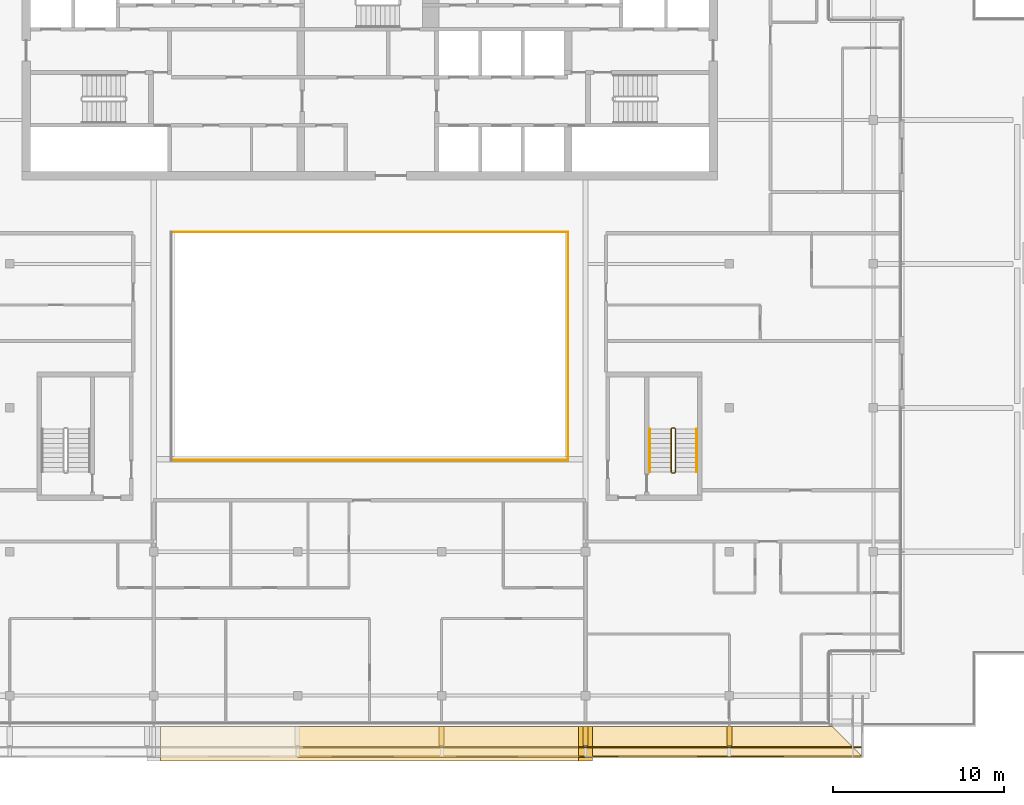
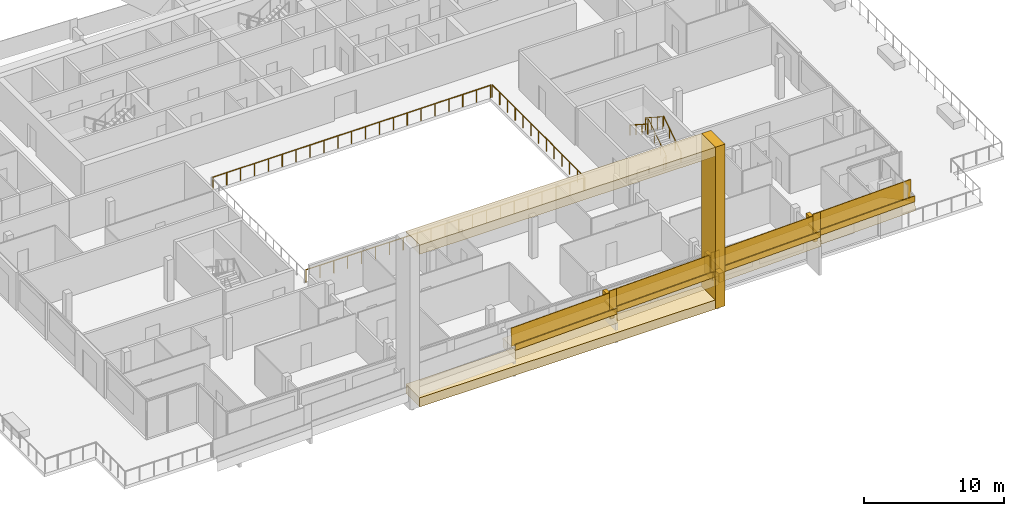
# One storey, part 25 of 29: 15 coverings, 14 railings.
"""IFC4 building model written with IfcOpenShell, lengths in metres."""

from ifc_helpers import new_model, si_unit, direction, frame, origin, origin_2d, place, context, subcontext, project, spatial, polyline, rectangle, circle, outline, extrude, material, layer, layer_set, type_object, element, save


model = new_model("IFC4")

# Units and contexts
model_context = context("Model", 3, precision=1e-05, world=origin(), true_north=direction((0.0, 1.0)))
body_context = subcontext(model_context, "Body", "Model", "MODEL_VIEW")
ifc_project = project(units=[si_unit("LENGTHUNIT", "METRE"), si_unit("AREAUNIT", "SQUARE_METRE"), si_unit("VOLUMEUNIT", "CUBIC_METRE"), si_unit("PLANEANGLEUNIT", "RADIAN"), si_unit("MASSUNIT", "GRAM", prefix="KILO")], contexts=[model_context])

# Site, building, storey
site_placement = place(None, origin())
site = spatial("IfcSite", under=ifc_project, at=site_placement, CompositionType="ELEMENT")
building_placement = place(site_placement, origin())
building = spatial("IfcBuilding", under=site, at=building_placement, Name="Saffron Gate Tower", CompositionType="ELEMENT")
storey_placement = place(building_placement, frame((0.0, 0.0, 270.75)))
storey = spatial("IfcBuildingStorey", under=building, at=storey_placement, Name="L65", CompositionType="ELEMENT", Elevation=270.75)

# Railings
ifc_material_1 = material(Name="Stainless steel and laminated glass", Category="steel")
railing_type_1 = type_object("IfcRailingType", Name="AG1 Atrium edge guard 1100", PredefinedType="GUARDRAIL", material=ifc_material_1)
railing_1_placement = place(storey_placement, frame((76.139892578125, 58.860107421875, 0.0)))
element("IfcRailing", 1, at=railing_1_placement, inside=storey, type_object=railing_type_1, Name="Guard E2-2", PredefinedType="GUARDRAIL", context=body_context, shape_type="SweptSolid", body=[
    extrude(circle(Radius=0.02392578125, at=origin_2d()), frame((0.0, 0.0, 1.076171875), z_axis=(1.0, 0.0, 0.0), x_axis=(0.0, 1.0, 0.0)), (0.0, 0.0, 1.0), 22.920166015625),
    extrude(circle(Radius=0.02099609375, at=origin_2d()), origin(), (0.0, 0.0, 1.0), 1.052001953125),
    extrude(circle(Radius=0.02099609375, at=origin_2d()), frame((1.14599609375, 0.0, 0.0)), (0.0, 0.0, 1.0), 1.052001953125),
    extrude(circle(Radius=0.02099609375, at=origin_2d()), frame((2.2919921875, 0.0, 0.0)), (0.0, 0.0, 1.0), 1.052001953125),
    extrude(circle(Radius=0.02099609375, at=origin_2d()), frame((3.43798828125, 0.0, 0.0)), (0.0, 0.0, 1.0), 1.052001953125),
    extrude(circle(Radius=0.02099609375, at=origin_2d()), frame((4.583984375, 0.0, 0.0)), (0.0, 0.0, 1.0), 1.052001953125),
    extrude(circle(Radius=0.02099609375, at=origin_2d()), frame((5.72998046875, 0.0, 0.0)), (0.0, 0.0, 1.0), 1.052001953125),
    extrude(circle(Radius=0.02099609375, at=origin_2d()), frame((6.8759765625, 0.0, 0.0)), (0.0, 0.0, 1.0), 1.052001953125),
    extrude(circle(Radius=0.02099609375, at=origin_2d()), frame((8.02197265625, 0.0, 0.0)), (0.0, 0.0, 1.0), 1.052001953125),
    extrude(circle(Radius=0.02099609375, at=origin_2d()), frame((9.16796875, 0.0, 0.0)), (0.0, 0.0, 1.0), 1.052001953125),
    extrude(circle(Radius=0.02099609375, at=origin_2d()), frame((10.31396484375, 0.0, 0.0)), (0.0, 0.0, 1.0), 1.052001953125),
    extrude(circle(Radius=0.02099609375, at=origin_2d()), frame((11.4599609375, 0.0, 0.0)), (0.0, 0.0, 1.0), 1.052001953125),
    extrude(circle(Radius=0.02099609375, at=origin_2d()), frame((12.606201171875, 0.0, 0.0)), (0.0, 0.0, 1.0), 1.052001953125),
    extrude(circle(Radius=0.02099609375, at=origin_2d()), frame((13.752197265625, 0.0, 0.0)), (0.0, 0.0, 1.0), 1.052001953125),
    extrude(circle(Radius=0.02099609375, at=origin_2d()), frame((14.898193359375, 0.0, 0.0)), (0.0, 0.0, 1.0), 1.052001953125),
    extrude(circle(Radius=0.02099609375, at=origin_2d()), frame((16.044189453125, 0.0, 0.0)), (0.0, 0.0, 1.0), 1.052001953125),
    extrude(circle(Radius=0.02099609375, at=origin_2d()), frame((17.190185546875, 0.0, 0.0)), (0.0, 0.0, 1.0), 1.052001953125),
    extrude(circle(Radius=0.02099609375, at=origin_2d()), frame((18.336181640625, 0.0, 0.0)), (0.0, 0.0, 1.0), 1.052001953125),
    extrude(circle(Radius=0.02099609375, at=origin_2d()), frame((19.482177734375, 0.0, 0.0)), (0.0, 0.0, 1.0), 1.052001953125),
    extrude(circle(Radius=0.02099609375, at=origin_2d()), frame((20.628173828125, 0.0, 0.0)), (0.0, 0.0, 1.0), 1.052001953125),
    extrude(circle(Radius=0.02099609375, at=origin_2d()), frame((21.774169921875, 0.0, 0.0)), (0.0, 0.0, 1.0), 1.052001953125),
    extrude(circle(Radius=0.02099609375, at=origin_2d()), frame((22.920166015625, 0.0, 0.0)), (0.0, 0.0, 1.0), 1.052001953125),
])
railing_2_placement = place(storey_placement, frame((99.179931640625, 58.860107421875, 0.0)))
element("IfcRailing", 2, at=railing_2_placement, inside=storey, type_object=railing_type_1, Name="Guard E2-3", PredefinedType="GUARDRAIL", context=body_context, shape_type="SweptSolid", body=[
    extrude(circle(Radius=0.02392578125, at=origin_2d()), frame((0.0, 0.0, 1.076171875), z_axis=(0.0, -1.0, 0.0), x_axis=(1.0, 0.0, 0.0)), (0.0, 0.0, 1.0), 13.320068359375),
    extrude(circle(Radius=0.02099609375, at=origin_2d()), origin(), (0.0, 0.0, 1.0), 1.052001953125),
    extrude(circle(Radius=0.02099609375, at=origin_2d()), frame((0.0, -1.110107421875, 0.0)), (0.0, 0.0, 1.0), 1.052001953125),
    extrude(circle(Radius=0.02099609375, at=origin_2d()), frame((0.0, -2.219970703125, 0.0)), (0.0, 0.0, 1.0), 1.052001953125),
    extrude(circle(Radius=0.02099609375, at=origin_2d()), frame((0.0, -3.330078125, 0.0)), (0.0, 0.0, 1.0), 1.052001953125),
    extrude(circle(Radius=0.02099609375, at=origin_2d()), frame((0.0, -4.43994140625, 0.0)), (0.0, 0.0, 1.0), 1.052001953125),
    extrude(circle(Radius=0.02099609375, at=origin_2d()), frame((0.0, -5.550048828125, 0.0)), (0.0, 0.0, 1.0), 1.052001953125),
    extrude(circle(Radius=0.02099609375, at=origin_2d()), frame((0.0, -6.66015625, 0.0)), (0.0, 0.0, 1.0), 1.052001953125),
    extrude(circle(Radius=0.02099609375, at=origin_2d()), frame((0.0, -7.77001953125, 0.0)), (0.0, 0.0, 1.0), 1.052001953125),
    extrude(circle(Radius=0.02099609375, at=origin_2d()), frame((0.0, -8.880126953125, 0.0)), (0.0, 0.0, 1.0), 1.052001953125),
    extrude(circle(Radius=0.02099609375, at=origin_2d()), frame((0.0, -9.989990234375, 0.0)), (0.0, 0.0, 1.0), 1.052001953125),
    extrude(circle(Radius=0.02099609375, at=origin_2d()), frame((0.0, -11.10009765625, 0.0)), (0.0, 0.0, 1.0), 1.052001953125),
    extrude(circle(Radius=0.02099609375, at=origin_2d()), frame((0.0, -12.2099609375, 0.0)), (0.0, 0.0, 1.0), 1.052001953125),
    extrude(circle(Radius=0.02099609375, at=origin_2d()), frame((0.0, -13.320068359375, 0.0)), (0.0, 0.0, 1.0), 1.052001953125),
])
railing_3_placement = place(storey_placement, frame((99.06005859375, 45.5400390625, 0.0)))
element("IfcRailing", 3, at=railing_3_placement, inside=storey, type_object=railing_type_1, Name="Guard E2-4", PredefinedType="GUARDRAIL", context=body_context, shape_type="SweptSolid", body=[
    extrude(circle(Radius=0.02392578125, at=origin_2d()), frame((0.0, 0.0, 1.076171875), z_axis=(-1.0, 0.0, 0.0), x_axis=(0.0, -1.0, 0.0)), (0.0, 0.0, 1.0), 22.920166015625),
    extrude(circle(Radius=0.02099609375, at=origin_2d()), origin(), (0.0, 0.0, 1.0), 1.052001953125),
    extrude(circle(Radius=0.02099609375, at=origin_2d()), frame((-1.14599609375, 0.0, 0.0)), (0.0, 0.0, 1.0), 1.052001953125),
    extrude(circle(Radius=0.02099609375, at=origin_2d()), frame((-2.2919921875, 0.0, 0.0)), (0.0, 0.0, 1.0), 1.052001953125),
    extrude(circle(Radius=0.02099609375, at=origin_2d()), frame((-3.43798828125, 0.0, 0.0)), (0.0, 0.0, 1.0), 1.052001953125),
    extrude(circle(Radius=0.02099609375, at=origin_2d()), frame((-4.583984375, 0.0, 0.0)), (0.0, 0.0, 1.0), 1.052001953125),
    extrude(circle(Radius=0.02099609375, at=origin_2d()), frame((-5.72998046875, 0.0, 0.0)), (0.0, 0.0, 1.0), 1.052001953125),
    extrude(circle(Radius=0.02099609375, at=origin_2d()), frame((-6.8759765625, 0.0, 0.0)), (0.0, 0.0, 1.0), 1.052001953125),
    extrude(circle(Radius=0.02099609375, at=origin_2d()), frame((-8.02197265625, 0.0, 0.0)), (0.0, 0.0, 1.0), 1.052001953125),
    extrude(circle(Radius=0.02099609375, at=origin_2d()), frame((-9.16796875, 0.0, 0.0)), (0.0, 0.0, 1.0), 1.052001953125),
    extrude(circle(Radius=0.02099609375, at=origin_2d()), frame((-10.31396484375, 0.0, 0.0)), (0.0, 0.0, 1.0), 1.052001953125),
    extrude(circle(Radius=0.02099609375, at=origin_2d()), frame((-11.4599609375, 0.0, 0.0)), (0.0, 0.0, 1.0), 1.052001953125),
    extrude(circle(Radius=0.02099609375, at=origin_2d()), frame((-12.606201171875, 0.0, 0.0)), (0.0, 0.0, 1.0), 1.052001953125),
    extrude(circle(Radius=0.02099609375, at=origin_2d()), frame((-13.752197265625, 0.0, 0.0)), (0.0, 0.0, 1.0), 1.052001953125),
    extrude(circle(Radius=0.02099609375, at=origin_2d()), frame((-14.898193359375, 0.0, 0.0)), (0.0, 0.0, 1.0), 1.052001953125),
    extrude(circle(Radius=0.02099609375, at=origin_2d()), frame((-16.044189453125, 0.0, 0.0)), (0.0, 0.0, 1.0), 1.052001953125),
    extrude(circle(Radius=0.02099609375, at=origin_2d()), frame((-17.190185546875, 0.0, 0.0)), (0.0, 0.0, 1.0), 1.052001953125),
    extrude(circle(Radius=0.02099609375, at=origin_2d()), frame((-18.336181640625, 0.0, 0.0)), (0.0, 0.0, 1.0), 1.052001953125),
    extrude(circle(Radius=0.02099609375, at=origin_2d()), frame((-19.482177734375, 0.0, 0.0)), (0.0, 0.0, 1.0), 1.052001953125),
    extrude(circle(Radius=0.02099609375, at=origin_2d()), frame((-20.628173828125, 0.0, 0.0)), (0.0, 0.0, 1.0), 1.052001953125),
    extrude(circle(Radius=0.02099609375, at=origin_2d()), frame((-21.774169921875, 0.0, 0.0)), (0.0, 0.0, 1.0), 1.052001953125),
    extrude(circle(Radius=0.02099609375, at=origin_2d()), frame((-22.920166015625, 0.0, 0.0)), (0.0, 0.0, 1.0), 1.052001953125),
])
railing_type_2 = type_object("IfcRailingType", Name="CR1 Stair guard 1100", PredefinedType="GUARDRAIL", material=ifc_material_1)
railing_4_placement = place(storey_placement, frame((105.25, 44.800048828125, 0.0)))
element("IfcRailing", 4, at=railing_4_placement, inside=storey, type_object=railing_type_2, Name="L65 ST-E stair guard 1", PredefinedType="GUARDRAIL", context=body_context, shape_type="SweptSolid", body=[
    extrude(circle(Radius=0.02392578125, at=origin_2d()), frame((0.0, 0.0, 1.076171875), z_axis=(1.0, 0.0, 0.0), x_axis=(0.0, 1.0, 0.0)), (0.0, 0.0, 1.0), 0.14990234375),
    extrude(circle(Radius=0.02392578125, at=origin_2d()), frame((0.14990234375, 0.0, 1.076171875), z_axis=(0.258847668887, 0.258847668887, 0.930588936439), x_axis=(-0.707106781187, 0.707106781187, 0.0)), (0.0, 0.0, 1.0), 0.193359375),
    extrude(circle(Radius=0.02392578125, at=origin_2d()), frame((0.199951171875, 0.050048828125, 1.255859375), z_axis=(0.0, 0.841162588446, 0.540782303519), x_axis=(-1.0, 0.0, 0.0)), (0.0, 0.0, 1.0), 2.995849609375),
    extrude(circle(Radius=0.02392578125, at=origin_2d()), frame((0.199951171875, 2.570068359375, 2.8759765625), z_axis=(-0.708833529934, 0.705375805398, 0.0), x_axis=(-0.705375805398, -0.708833529934, 0.0)), (0.0, 0.0, 1.0), 0.070556640625),
    extrude(circle(Radius=0.02392578125, at=origin_2d()), frame((0.14990234375, 2.619873046875, 2.8759765625), z_axis=(-1.0, 0.0, 0.0), x_axis=(0.0, -1.0, 0.0)), (0.0, 0.0, 1.0), 0.14990234375),
    extrude(circle(Radius=0.02392578125, at=origin_2d()), frame((0.0, 2.619873046875, 2.8759765625), z_axis=(-0.258932105505, -0.257669022063, 0.930892496375), x_axis=(0.705375805398, -0.708833529934, 0.0)), (0.0, 0.0, 1.0), 0.193359375),
    extrude(circle(Radius=0.02392578125, at=origin_2d()), frame((-0.050048828125, 2.570068359375, 3.05615234375), z_axis=(0.0, -0.841162588446, 0.540782303519), x_axis=(1.0, 0.0, 0.0)), (0.0, 0.0, 1.0), 2.995849609375),
    extrude(circle(Radius=0.02099609375, at=origin_2d()), origin(), (0.0, 0.0, 1.0), 1.052001953125),
    extrude(circle(Radius=0.02099609375, at=origin_2d()), frame((0.14990234375, 0.0, 0.0)), (0.0, 0.0, 1.0), 1.052001953125),
    extrude(circle(Radius=0.02099609375, at=origin_2d()), frame((0.199951171875, 0.050048828125, 0.179931640625)), (0.0, 0.0, 1.0), 1.052001953125),
    extrude(circle(Radius=0.02099609375, at=origin_2d()), frame((0.199951171875, 0.89013671875, 0.719970703125)), (0.0, 0.0, 1.0), 1.052001953125),
    extrude(circle(Radius=0.02099609375, at=origin_2d()), frame((0.199951171875, 1.72998046875, 1.260009765625)), (0.0, 0.0, 1.0), 1.052001953125),
    extrude(circle(Radius=0.02099609375, at=origin_2d()), frame((0.199951171875, 2.570068359375, 1.800048828125)), (0.0, 0.0, 1.0), 1.052001953125),
    extrude(circle(Radius=0.02099609375, at=origin_2d()), frame((0.14990234375, 2.619873046875, 1.800048828125)), (0.0, 0.0, 1.0), 1.052001953125),
    extrude(circle(Radius=0.02099609375, at=origin_2d()), frame((0.0, 2.619873046875, 1.800048828125)), (0.0, 0.0, 1.0), 1.052001953125),
    extrude(circle(Radius=0.02099609375, at=origin_2d()), frame((-0.050048828125, 2.570068359375, 1.97998046875)), (0.0, 0.0, 1.0), 1.052001953125),
    extrude(circle(Radius=0.02099609375, at=origin_2d()), frame((-0.050048828125, 1.72998046875, 2.52001953125)), (0.0, 0.0, 1.0), 1.052001953125),
    extrude(circle(Radius=0.02099609375, at=origin_2d()), frame((-0.050048828125, 0.89013671875, 3.06005859375)), (0.0, 0.0, 1.0), 1.052001953125),
    extrude(circle(Radius=0.02099609375, at=origin_2d()), frame((-0.050048828125, 0.050048828125, 3.60009765625)), (0.0, 0.0, 1.0), 1.052001953125),
])
ifc_material_2 = material(Name="Stainless steel", Category="steel")
railing_type_3 = type_object("IfcRailingType", Name="CR2 Stair handrail 900", PredefinedType="HANDRAIL", material=ifc_material_2)
railing_5_placement = place(storey_placement, frame((106.699951171875, 44.85009765625, 0.179931640625)))
element("IfcRailing", 5, at=railing_5_placement, inside=storey, type_object=railing_type_3, Name="L65 ST-E stair handrail 1", PredefinedType="HANDRAIL", context=body_context, shape_type="SweptSolid", body=[
    extrude(circle(Radius=0.02392578125, at=origin_2d()), frame((0.0, 0.0, 0.8759765625), z_axis=(0.0, 0.841162588446, 0.540782303519), x_axis=(-1.0, 0.0, 0.0)), (0.0, 0.0, 1.0), 2.995849609375),
    extrude(circle(Radius=0.02099609375, at=origin_2d()), origin(), (0.0, 0.0, 1.0), 0.851806640625),
    extrude(circle(Radius=0.02099609375, at=origin_2d()), frame((0.0, 0.840087890625, 0.5400390625)), (0.0, 0.0, 1.0), 0.851806640625),
    extrude(circle(Radius=0.02099609375, at=origin_2d()), frame((0.0, 1.679931640625, 1.080078125)), (0.0, 0.0, 1.0), 0.851806640625),
    extrude(circle(Radius=0.02099609375, at=origin_2d()), frame((0.0, 2.52001953125, 1.6201171875)), (0.0, 0.0, 1.0), 0.851806640625),
])
railing_6_placement = place(storey_placement, frame((103.949951171875, 47.3701171875, 1.97998046875)))
element("IfcRailing", 6, at=railing_6_placement, inside=storey, type_object=railing_type_3, Name="L65 ST-E stair handrail 2", PredefinedType="HANDRAIL", context=body_context, shape_type="SweptSolid", body=[
    extrude(circle(Radius=0.02392578125, at=origin_2d()), frame((0.0, 0.0, 0.8759765625), z_axis=(0.0, -0.841162588446, 0.540782303519), x_axis=(1.0, 0.0, 0.0)), (0.0, 0.0, 1.0), 2.995849609375),
    extrude(circle(Radius=0.02099609375, at=origin_2d()), origin(), (0.0, 0.0, 1.0), 0.851806640625),
    extrude(circle(Radius=0.02099609375, at=origin_2d()), frame((0.0, -0.840087890625, 0.5400390625)), (0.0, 0.0, 1.0), 0.851806640625),
    extrude(circle(Radius=0.02099609375, at=origin_2d()), frame((0.0, -1.679931640625, 1.080078125)), (0.0, 0.0, 1.0), 0.851806640625),
    extrude(circle(Radius=0.02099609375, at=origin_2d()), frame((0.0, -2.52001953125, 1.6201171875)), (0.0, 0.0, 1.0), 0.851806640625),
])

# Coverings
ifc_material_3 = material(Name="Ceramic-printed bronze insulated panel")
ifc_layer_1 = layer(ifc_material_3, 0.800048828125)
ifc_layer_set_1 = layer_set([ifc_layer_1], Name="FN1 atrium fin")
covering_type_1 = type_object("IfcCoveringType", Name="FN1 atrium fin", PredefinedType="CLADDING", material=ifc_layer_set_1)
covering_1_placement = place(storey_placement, origin())
element("IfcCovering", 7, at=covering_1_placement, inside=storey, type_object=covering_type_1, Name="CLADDING atrium fin", PredefinedType="CLADDING", context=body_context, shape_type="SweptSolid", body=[
    extrude(outline(polyline([(99.800048828125, 30.0), (100.60009765625, 30.0), (100.60009765625, 28.0), (99.800048828125, 28.0), (99.800048828125, 30.0)])), origin(), (0.0, 0.0, 1.0), 14.1201171875),
])
for number, where, name in (
    (8, (0.0, 0.0, 0.0), "CLADDING atrium lintel fin"),
    (9, (0.0, 0.0, 13.320068359375), "CLADDING atrium lintel fin"),
):
    element("IfcCovering", number, at=place(storey_placement, frame(where)), inside=storey, type_object=covering_type_1, Name=name, PredefinedType="CLADDING", context=body_context, shape_type="SweptSolid", body=[
        extrude(outline(polyline([(75.39990234375, 30.0), (99.800048828125, 30.0), (99.800048828125, 28.0), (75.39990234375, 28.0), (75.39990234375, 30.0)])), origin(), (0.0, 0.0, 1.0), 0.800048828125),
    ])
ifc_material_4 = material(Name="Timber, thermally modified ash", Category="wood")
ifc_layer_2 = layer(ifc_material_4, 0.800048828125)
ifc_layer_set_2 = layer_set([ifc_layer_2], Name="LD1 ledge timber")
covering_type_2 = type_object("IfcCoveringType", Name="LD1 ledge timber", PredefinedType="CLADDING", material=ifc_layer_set_2)
covering_2_placement = place(storey_placement, frame((83.39990234375, 30.0, 2.00390625), z_axis=(-0.028790339263, 0.0, 0.999585472266), x_axis=(0.999585472266, 0.0, 0.028790339263)))
element("IfcCovering", 10, at=covering_2_placement, inside=storey, type_object=covering_type_2, Name="LEDGE", PredefinedType="CLADDING", context=body_context, shape_type="SweptSolid", body=[
    extrude(outline(polyline([(0.0, 0.0), (8.403630022085892, 0.0), (8.403630022085892, -1.800048828125), (0.0, -1.800048828125), (0.0, 0.0)])), origin(), (0.0, 0.0, -1.0), 0.800048828125),
])
covering_3_placement = place(storey_placement, frame((91.800048828125, 30.0, 2.41064453125), z_axis=(-0.028791175352, 0.0, 0.999585448184), x_axis=(0.999585448184, 0.0, 0.028791175352)))
element("IfcCovering", 11, at=covering_3_placement, inside=storey, type_object=covering_type_2, Name="LEDGE", PredefinedType="CLADDING", context=body_context, shape_type="SweptSolid", body=[
    extrude(outline(polyline([(0.0, 0.0), (8.403385982666892, 0.0), (8.403385982666892, -1.800048828125), (0.0, -1.800048828125), (0.0, 0.0)])), origin(), (0.0, 0.0, -1.0), 0.800048828125),
])
covering_4_placement = place(storey_placement, frame((100.199951171875, 30.0, 2.8173828125), z_axis=(-0.028664238881, 0.0, 0.999589096284), x_axis=(0.999589096284, 0.0, 0.028664238881)))
element("IfcCovering", 12, at=covering_4_placement, inside=storey, type_object=covering_type_2, Name="LEDGE", PredefinedType="CLADDING", context=body_context, shape_type="SweptSolid", body=[
    extrude(outline(polyline([(0.0, 0.0), (0.40031097364171886, 0.0), (0.40031097364171886, -1.8000488281250004), (0.0, -1.8000488281250004), (0.0, 0.0)])), origin(), (0.0, 0.0, -1.0), 0.800048828125),
])
covering_5_placement = place(storey_placement, frame((100.60009765625, 30.0, 2.836669921875), z_axis=(-0.028796646555, 0.0, 0.999585290582), x_axis=(0.999585290582, 0.0, 0.028796646555)))
element("IfcCovering", 13, at=covering_5_placement, inside=storey, type_object=covering_type_2, Name="LEDGE", PredefinedType="CLADDING", context=body_context, shape_type="SweptSolid", body=[
    extrude(outline(polyline([(0.0, 0.0), (8.003319051788862, 0.0), (8.003319051788862, -1.800048828125), (0.0, -1.800048828125), (0.0, 0.0)])), origin(), (0.0, 0.0, -1.0), 0.800048828125),
])
covering_6_placement = place(storey_placement, frame((108.60009765625, 30.0, 3.22412109375), z_axis=(-0.028772316278, 5.4407989e-05, 0.999585989726), x_axis=(0.999585991205, 8.88e-10, 0.02877231632)))
element("IfcCovering", 14, at=covering_6_placement, inside=storey, type_object=covering_type_2, Name="LEDGE", PredefinedType="CLADDING", context=body_context, shape_type="SweptSolid", body=[
    extrude(outline(polyline([(0.0, 0.0), (6.002482262572267, 1.6940658945086007e-21), (7.80303803014925, -1.8000488377162358), (-1.5979494671225372e-09, -1.8000488254607216), (0.0, 0.0)])), origin(), (0.0, 0.0, -1.0), 0.800048828125),
])
ifc_layer_3 = layer(ifc_material_4, 0.080078125)
ifc_layer_set_3 = layer_set([ifc_layer_3], Name="LD2 ledge planter trough")
covering_type_3 = type_object("IfcCoveringType", Name="LD2 ledge planter trough", PredefinedType="CLADDING", material=ifc_layer_set_3)
covering_7_placement = place(storey_placement, frame((83.39990234375, 28.199951171875, 2.00390625), z_axis=(0.0, -1.0, 0.0), x_axis=(0.999585472266, 0.0, 0.028790339263)))
element("IfcCovering", 15, at=covering_7_placement, inside=storey, type_object=covering_type_3, Name="LEDGE planter trough", PredefinedType="CLADDING", context=body_context, shape_type="SweptSolid", body=[
    extrude(outline(polyline([(0.0, 0.0), (8.403630022085892, 0.0), (8.418025191717298, 0.4997927361329725), (0.014395169631405694, 0.4997927361329725), (0.0, 0.0)])), origin(), (0.0, 0.0, -1.0), 0.080078125),
])
covering_8_placement = place(storey_placement, frame((91.800048828125, 28.199951171875, 2.41064453125), z_axis=(0.0, -1.0, 0.0), x_axis=(0.999585448184, 0.0, 0.028791175352)))
element("IfcCovering", 16, at=covering_8_placement, inside=storey, type_object=covering_type_3, Name="LEDGE planter trough", PredefinedType="CLADDING", context=body_context, shape_type="SweptSolid", body=[
    extrude(outline(polyline([(0.0, 0.0), (8.403385982666892, 0.0), (8.417781570342743, 0.49979272409216496), (0.014395587675851172, 0.4997927240921649), (0.0, 0.0)])), origin(), (0.0, 0.0, -1.0), 0.080078125),
])
covering_9_placement = place(storey_placement, frame((100.60009765625, 28.199951171875, 2.836669921875), z_axis=(0.0, -1.0, 0.0), x_axis=(0.999585290582, 0.0, 0.028796646555)))
element("IfcCovering", 17, at=covering_9_placement, inside=storey, type_object=covering_type_3, Name="LEDGE planter trough", PredefinedType="CLADDING", context=body_context, shape_type="SweptSolid", body=[
    extrude(outline(polyline([(0.0, 0.0), (8.003319051788862, 0.0), (8.017717375066283, 0.4997926452908234), (0.014398323277421184, 0.49979264529082346), (0.0, 0.0)])), origin(), (0.0, 0.0, -1.0), 0.080078125),
])
covering_10_placement = place(storey_placement, frame((108.60009765625, 28.199951171875, 3.22412109375), z_axis=(0.0, -1.0, 0.0), x_axis=(0.999585630001, 0.0, 0.028784862264)))
element("IfcCovering", 18, at=covering_10_placement, inside=storey, type_object=covering_type_3, Name="LEDGE planter trough", PredefinedType="CLADDING", context=body_context, shape_type="SweptSolid", body=[
    extrude(outline(polyline([(0.0, 0.0), (7.80303803236181, 2.7755575615628914e-17), (7.817430463493663, 0.4997928150004909), (0.014392431131853373, 0.49979281500049083), (0.0, 0.0)])), origin(), (0.0, 0.0, -1.0), 0.080078125),
])
ifc_layer_4 = layer(ifc_material_4, 0.300048828125)
ifc_layer_set_4 = layer_set([ifc_layer_4], Name="LD3 ledge riser fin")
covering_type_4 = type_object("IfcCoveringType", Name="LD3 ledge riser fin", PredefinedType="CLADDING", material=ifc_layer_set_4)
for number, where, z_axis, x_axis, name in (
    (19, (91.800048828125, 29.43994140625, 1.44580078125), (0.0, 0.0, 1.0), (1.0, 0.0, 0.0), "LEDGE riser fin"),
    (20, (100.199951171875, 29.43994140625, 1.8525390625), (0.0, 0.0, 1.0), (1.0, 0.0, 0.0), "LEDGE riser fin"),
):
    element("IfcCovering", number, at=place(storey_placement, frame(where, z_axis=z_axis, x_axis=x_axis)), inside=storey, type_object=covering_type_4, Name=name, PredefinedType="CLADDING", context=body_context, shape_type="SweptSolid", body=[
        extrude(rectangle(XDim=0.300048828125, YDim=1.1201171875, at=origin_2d()), origin(), (0.0, 0.0, 1.0), 1.86474609375),
    ])
covering_11_placement = place(storey_placement, frame((108.60009765625, 29.43994140625, 2.26708984375), z_axis=(0.0, 0.0, 1.0), x_axis=(1.0, 0.0, 0.0)))
element("IfcCovering", 21, at=covering_11_placement, inside=storey, type_object=covering_type_4, Name="LEDGE riser fin", PredefinedType="CLADDING", context=body_context, shape_type="SweptSolid", body=[
    extrude(rectangle(XDim=0.300048828125, YDim=1.1201171875, at=origin_2d()), origin(), (0.0, 0.0, 1.0), 1.85693359375),
])

# Railings
railing_type_4 = type_object("IfcRailingType", Name="LG1 ledge balustrade", PredefinedType="BALUSTRADE", material=ifc_material_4)
railing_7_placement = place(storey_placement, frame((83.39990234375, 28.800048828125, 2.00390625)))
element("IfcRailing", 22, at=railing_7_placement, inside=storey, type_object=railing_type_4, Name="LEDGE BALUSTRADE", PredefinedType="BALUSTRADE", context=body_context, shape_type="SweptSolid", body=[
    extrude(rectangle(XDim=0.06005859375, YDim=1.60009765625, at=origin_2d()), frame((0.0, 0.0, 0.800048828125), z_axis=(0.999585472266, 0.0, 0.028790339263), x_axis=(0.0, 1.0, 0.0)), (0.0, 0.0, 1.0), 8.403564453125),
])
railing_8_placement = place(storey_placement, frame((91.800048828125, 28.800048828125, 2.41064453125)))
element("IfcRailing", 23, at=railing_8_placement, inside=storey, type_object=railing_type_4, Name="LEDGE BALUSTRADE", PredefinedType="BALUSTRADE", context=body_context, shape_type="SweptSolid", body=[
    extrude(rectangle(XDim=0.06005859375, YDim=1.60009765625, at=origin_2d()), frame((0.0, 0.0, 0.800048828125), z_axis=(0.999585448184, 0.0, 0.028791175352), x_axis=(0.0, 1.0, 0.0)), (0.0, 0.0, 1.0), 8.4033203125),
])
railing_9_placement = place(storey_placement, frame((91.5, 28.800048828125, 2.245849609375)))
element("IfcRailing", 24, at=railing_9_placement, inside=storey, type_object=railing_type_4, Name="LEDGE BALUSTRADE", PredefinedType="BALUSTRADE", context=body_context, shape_type="SweptSolid", body=[
    extrude(rectangle(XDim=0.06005859375, YDim=1.7646484375, at=origin_2d()), frame((0.0, 0.0, 0.88232421875), z_axis=(1.0, 0.0, 0.0), x_axis=(0.0, 1.0, 0.0)), (0.0, 0.0, 1.0), 0.60009765625),
])
railing_10_placement = place(storey_placement, frame((100.199951171875, 28.800048828125, 2.8173828125)))
element("IfcRailing", 25, at=railing_10_placement, inside=storey, type_object=railing_type_4, Name="LEDGE BALUSTRADE", PredefinedType="BALUSTRADE", context=body_context, shape_type="SweptSolid", body=[
    extrude(rectangle(XDim=0.06005859375, YDim=1.60009765625, at=origin_2d()), frame((0.0, 0.0, 0.800048828125), z_axis=(0.999589096284, 0.0, 0.028664238881), x_axis=(0.0, 1.0, 0.0)), (0.0, 0.0, 1.0), 0.400390625),
])
railing_11_placement = place(storey_placement, frame((99.89990234375, 28.800048828125, 2.652587890625)))
element("IfcRailing", 26, at=railing_11_placement, inside=storey, type_object=railing_type_4, Name="LEDGE BALUSTRADE", PredefinedType="BALUSTRADE", context=body_context, shape_type="SweptSolid", body=[
    extrude(rectangle(XDim=0.06005859375, YDim=1.7646484375, at=origin_2d()), frame((0.0, 0.0, 0.88232421875), z_axis=(1.0, 0.0, 0.0), x_axis=(0.0, 1.0, 0.0)), (0.0, 0.0, 1.0), 0.60009765625),
])
railing_12_placement = place(storey_placement, frame((100.60009765625, 28.800048828125, 2.836669921875)))
element("IfcRailing", 27, at=railing_12_placement, inside=storey, type_object=railing_type_4, Name="LEDGE BALUSTRADE", PredefinedType="BALUSTRADE", context=body_context, shape_type="SweptSolid", body=[
    extrude(rectangle(XDim=0.06005859375, YDim=1.60009765625, at=origin_2d()), frame((0.0, 0.0, 0.800048828125), z_axis=(0.999585290582, 0.0, 0.028796646555), x_axis=(0.0, 1.0, 0.0)), (0.0, 0.0, 1.0), 8.00341796875),
])
railing_13_placement = place(storey_placement, frame((108.60009765625, 28.800048828125, 3.22412109375)))
element("IfcRailing", 28, at=railing_13_placement, inside=storey, type_object=railing_type_4, Name="LEDGE BALUSTRADE", PredefinedType="BALUSTRADE", context=body_context, shape_type="SweptSolid", body=[
    extrude(rectangle(XDim=0.06005859375, YDim=1.60009765625, at=origin_2d()), frame((0.0, 0.0, 0.800048828125), z_axis=(0.999585630001, 0.0, 0.028784862264), x_axis=(0.0, 1.0, 0.0)), (0.0, 0.0, 1.0), 7.802978515625),
])
railing_14_placement = place(storey_placement, frame((108.300048828125, 28.800048828125, 3.067138671875)))
element("IfcRailing", 29, at=railing_14_placement, inside=storey, type_object=railing_type_4, Name="LEDGE BALUSTRADE", PredefinedType="BALUSTRADE", context=body_context, shape_type="SweptSolid", body=[
    extrude(rectangle(XDim=0.06005859375, YDim=1.7568359375, at=origin_2d()), frame((0.0, 0.0, 0.87841796875), z_axis=(1.0, 0.0, 0.0), x_axis=(0.0, 1.0, 0.0)), (0.0, 0.0, 1.0), 0.599853515625),
])

save(model, "model.ifc")
